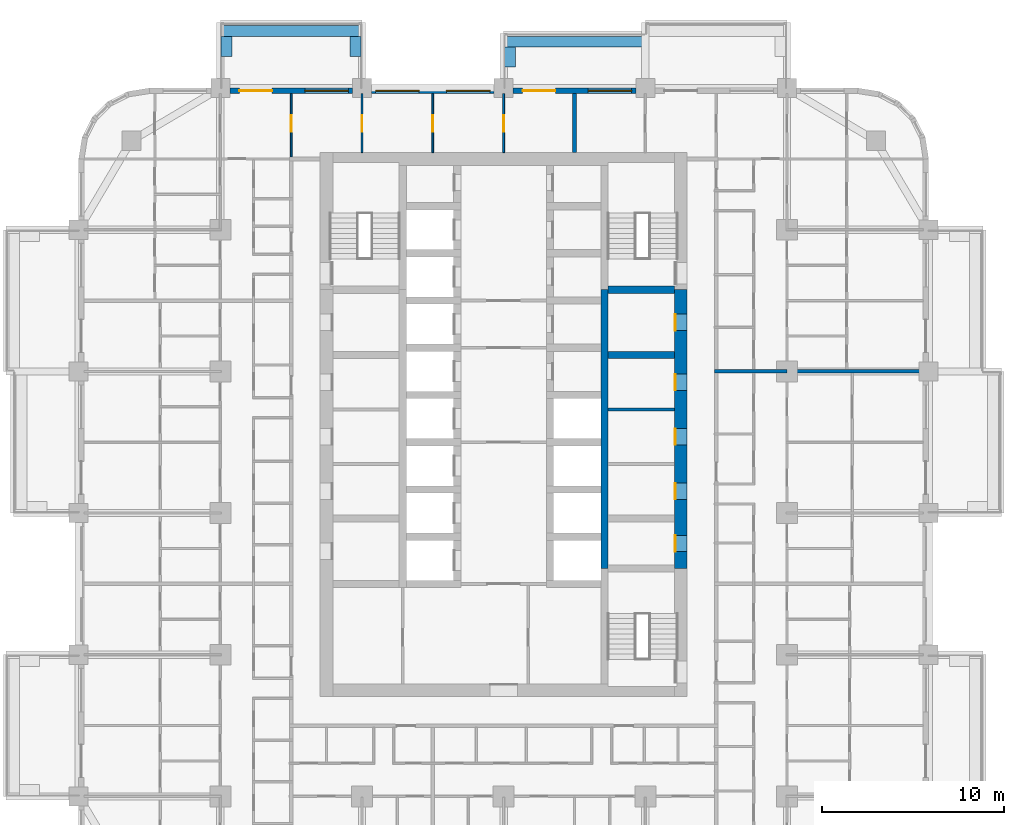
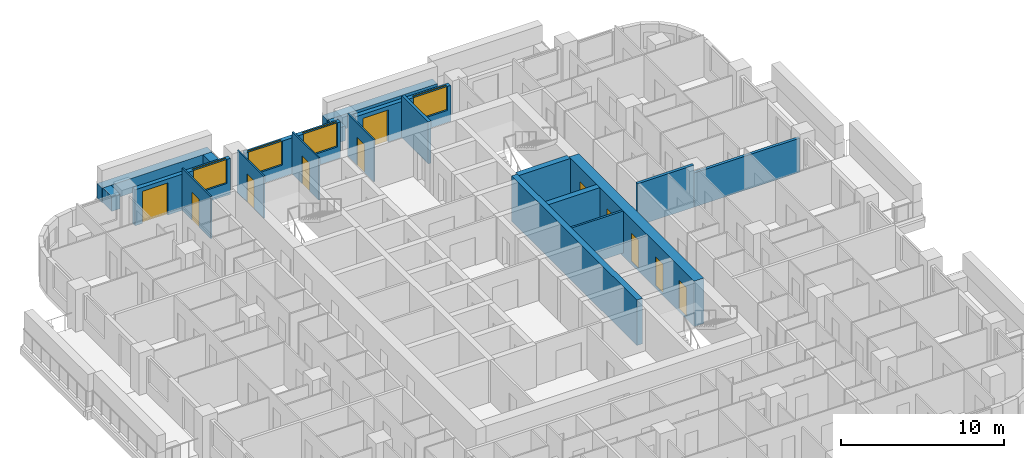
# One storey, part 12 of 18: 20 walls, 11 doors, 4 windows, 15 openings.
"""IFC4 building model written with IfcOpenShell, lengths in metres."""

from ifc_helpers import new_model, si_unit, direction, frame, frame_2d, origin, place, context, subcontext, project, spatial, rectangle, extrude, material, layer, layer_set, type_object, element, fill, save


model = new_model("IFC4")

# Units and contexts
model_context = context("Model", 3, precision=1e-05, world=origin(), true_north=direction((0.0, 1.0)))
body_context = subcontext(model_context, "Body", "Model", "MODEL_VIEW")
ifc_project = project(units=[si_unit("LENGTHUNIT", "METRE"), si_unit("AREAUNIT", "SQUARE_METRE"), si_unit("VOLUMEUNIT", "CUBIC_METRE"), si_unit("PLANEANGLEUNIT", "RADIAN"), si_unit("MASSUNIT", "GRAM", prefix="KILO")], contexts=[model_context])

# Site, building, storey
site_placement = place(None, origin())
site = spatial("IfcSite", under=ifc_project, at=site_placement, CompositionType="ELEMENT")
building_placement = place(site_placement, origin())
building = spatial("IfcBuilding", under=site, at=building_placement, Name="Ludao Terraces", CompositionType="ELEMENT")
storey_placement = place(building_placement, frame((0.0, 0.0, 33.10009765625)))
storey = spatial("IfcBuildingStorey", under=building, at=storey_placement, Name="L08", CompositionType="ELEMENT", Elevation=33.10009765625)

# Wall, openings, doors
ifc_material_1 = material(Name="Concrete C70", Category="concrete")
ifc_layer_1 = layer(ifc_material_1, 0.699951171875)
ifc_layer_set_1 = layer_set([ifc_layer_1], Name="Core wall 700 C70")
wall_type_1 = type_object("IfcWallType", Name="Core wall 700 C70", PredefinedType="SOLIDWALL", material=ifc_layer_set_1)
wall_1_placement = place(storey_placement, frame((94.75, 61.949951171875, -0.25), z_axis=(0.0, 0.0, 1.0), x_axis=(0.0, 1.0, 0.0)))
wall_1 = element("IfcWall", 1, at=wall_1_placement, inside=storey, type_object=wall_type_1, Name="Core wall L08 outer-E", PredefinedType="SOLIDWALL", context=body_context, shape_type="SweptSolid", body=[
    extrude(rectangle(XDim=15.35009765625, YDim=0.699951171875, at=frame_2d((7.675048828125, 0.0))), origin(), (0.0, 0.0, 1.0), 3.39990234375),
])
opening_1_placement = place(wall_1_placement, frame((0.925048828125, 0.0, 0.25)))
opening_1 = element("IfcOpeningElement", 2, at=opening_1_placement, cuts=wall_1, Name="Opening R02-078", PredefinedType="OPENING", context=body_context, shape_type="SweptSolid", body=[
    extrude(rectangle(XDim=0.89990234375, YDim=2.10009765625, at=frame_2d((0.449951171875, 1.050048828125))), frame((0.0, 0.35986328125, 0.0), z_axis=(0.0, -1.0, 0.0), x_axis=(1.0, 0.0, 0.0)), (0.0, 0.0, 1.0), 0.719970703125),
])
opening_2_placement = place(wall_1_placement, frame((3.800048828125, 0.0, 0.25)))
opening_2 = element("IfcOpeningElement", 3, at=opening_2_placement, cuts=wall_1, Name="Opening R02-087", PredefinedType="OPENING", context=body_context, shape_type="SweptSolid", body=[
    extrude(rectangle(XDim=0.89990234375, YDim=2.10009765625, at=frame_2d((0.449951171875, 1.050048828125))), frame((0.0, 0.35986328125, 0.0), z_axis=(0.0, -1.0, 0.0), x_axis=(1.0, 0.0, 0.0)), (0.0, 0.0, 1.0), 0.719970703125),
])
opening_3_placement = place(wall_1_placement, frame((6.800048828125, 0.0, 0.25)))
opening_3 = element("IfcOpeningElement", 4, at=opening_3_placement, cuts=wall_1, Name="Opening R02-099", PredefinedType="OPENING", context=body_context, shape_type="SweptSolid", body=[
    extrude(rectangle(XDim=0.89990234375, YDim=2.10009765625, at=frame_2d((0.449951171875, 1.050048828125))), frame((0.0, 0.35986328125, 0.0), z_axis=(0.0, -1.0, 0.0), x_axis=(1.0, 0.0, 0.0)), (0.0, 0.0, 1.0), 0.719970703125),
])
opening_4_placement = place(wall_1_placement, frame((9.800048828125, 0.0, 0.25)))
opening_4 = element("IfcOpeningElement", 5, at=opening_4_placement, cuts=wall_1, Name="Opening R02-109", PredefinedType="OPENING", context=body_context, shape_type="SweptSolid", body=[
    extrude(rectangle(XDim=0.89990234375, YDim=2.10009765625, at=frame_2d((0.449951171875, 1.050048828125))), frame((0.0, 0.35986328125, 0.0), z_axis=(0.0, -1.0, 0.0), x_axis=(1.0, 0.0, 0.0)), (0.0, 0.0, 1.0), 0.719970703125),
])
opening_5_placement = place(wall_1_placement, frame((13.10009765625, 0.0, 0.25)))
opening_5 = element("IfcOpeningElement", 6, at=opening_5_placement, cuts=wall_1, Name="Opening R02-121", PredefinedType="OPENING", context=body_context, shape_type="SweptSolid", body=[
    extrude(rectangle(XDim=0.89990234375, YDim=2.10009765625, at=frame_2d((0.449951171875, 1.050048828125))), frame((0.0, 0.35986328125, 0.0), z_axis=(0.0, -1.0, 0.0), x_axis=(1.0, 0.0, 0.0)), (0.0, 0.0, 1.0), 0.719970703125),
])
ifc_material_2 = material(Name="Steel Q235", Category="steel")
door_type_1 = type_object("IfcDoorType", Name="INT Riser door 900", OperationType="SINGLE_SWING_LEFT", PredefinedType="DOOR", material=ifc_material_2)
door_1_placement = place(opening_1_placement, origin())
door_1 = element("IfcDoor", 7, at=door_1_placement, inside=storey, type_object=door_type_1, Name="DOOR 078", OperationType="SINGLE_SWING_RIGHT", OverallHeight=2.10009765625, OverallWidth=0.89990234375, PredefinedType="DOOR", context=body_context, shape_type="SweptSolid", body=[
    extrude(rectangle(XDim=0.89990234375, YDim=2.10009765625, at=frame_2d((0.449951171875, 1.050048828125))), frame((0.0, 0.3349609375, 0.0), z_axis=(0.0, -1.0, 0.0), x_axis=(1.0, 0.0, 0.0)), (0.0, 0.0, 1.0), 0.050048828125),
])
fill(opening_1, door_1)
door_2_placement = place(opening_5_placement, origin())
door_2 = element("IfcDoor", 8, at=door_2_placement, inside=storey, type_object=door_type_1, Name="DOOR 121", OperationType="SINGLE_SWING_LEFT", OverallHeight=2.10009765625, OverallWidth=0.89990234375, PredefinedType="DOOR", context=body_context, shape_type="SweptSolid", body=[
    extrude(rectangle(XDim=0.89990234375, YDim=2.10009765625, at=frame_2d((0.449951171875, 1.050048828125))), frame((0.0, 0.3349609375, 0.0), z_axis=(0.0, -1.0, 0.0), x_axis=(1.0, 0.0, 0.0)), (0.0, 0.0, 1.0), 0.050048828125),
])
fill(opening_5, door_2)
ifc_material_3 = material(Name="Timber door leaf", Category="wood")
door_type_2 = type_object("IfcDoorType", Name="INT Room door 900", OperationType="SINGLE_SWING_LEFT", PredefinedType="DOOR", material=ifc_material_3)
door_3_placement = place(opening_2_placement, origin())
door_3 = element("IfcDoor", 9, at=door_3_placement, inside=storey, type_object=door_type_2, Name="DOOR 087", OperationType="SINGLE_SWING_LEFT", OverallHeight=2.10009765625, OverallWidth=0.89990234375, PredefinedType="DOOR", context=body_context, shape_type="SweptSolid", body=[
    extrude(rectangle(XDim=0.89990234375, YDim=2.10009765625, at=frame_2d((0.449951171875, 1.050048828125))), frame((0.0, 0.3349609375, 0.0), z_axis=(0.0, -1.0, 0.0), x_axis=(1.0, 0.0, 0.0)), (0.0, 0.0, 1.0), 0.050048828125),
])
fill(opening_2, door_3)
door_4_placement = place(opening_3_placement, origin())
door_4 = element("IfcDoor", 10, at=door_4_placement, inside=storey, type_object=door_type_2, Name="DOOR 099", OperationType="SINGLE_SWING_LEFT", OverallHeight=2.10009765625, OverallWidth=0.89990234375, PredefinedType="DOOR", context=body_context, shape_type="SweptSolid", body=[
    extrude(rectangle(XDim=0.89990234375, YDim=2.10009765625, at=frame_2d((0.449951171875, 1.050048828125))), frame((0.0, 0.3349609375, 0.0), z_axis=(0.0, -1.0, 0.0), x_axis=(1.0, 0.0, 0.0)), (0.0, 0.0, 1.0), 0.050048828125),
])
fill(opening_3, door_4)
door_5_placement = place(opening_4_placement, origin())
door_5 = element("IfcDoor", 11, at=door_5_placement, inside=storey, type_object=door_type_2, Name="DOOR 109", OperationType="SINGLE_SWING_RIGHT", OverallHeight=2.10009765625, OverallWidth=0.89990234375, PredefinedType="DOOR", context=body_context, shape_type="SweptSolid", body=[
    extrude(rectangle(XDim=0.89990234375, YDim=2.10009765625, at=frame_2d((0.449951171875, 1.050048828125))), frame((0.0, 0.3349609375, 0.0), z_axis=(0.0, -1.0, 0.0), x_axis=(1.0, 0.0, 0.0)), (0.0, 0.0, 1.0), 0.050048828125),
])
fill(opening_4, door_5)

# Walls
ifc_material_4 = material(Name="Concrete C40", Category="concrete")
ifc_layer_2 = layer(ifc_material_4, 0.60009765625)
ifc_layer_set_2 = layer_set([ifc_layer_2], Name="ENV Planter trough 600")
wall_type_2 = type_object("IfcWallType", Name="ENV Planter trough 600", PredefinedType="USERDEFINED", material=ifc_layer_set_2)
wall_2_placement = place(storey_placement, frame((69.39990234375, 91.550048828125, 0.0), z_axis=(0.0, 0.0, 1.0), x_axis=(1.0, 0.0, 0.0)))
element("IfcWall", 12, at=wall_2_placement, inside=storey, type_object=wall_type_2, Name="PL-L08-N1", ObjectType="PLANTER", PredefinedType="USERDEFINED", context=body_context, shape_type="SweptSolid", body=[
    extrude(rectangle(XDim=7.800048828125, YDim=0.60009765625, at=frame_2d((3.89990234375, 0.0))), origin(), (0.0, 0.0, 1.0), 1.099853515625),
])
for number, where, z_axis, x_axis, name in (
    (13, (69.75, 91.25, 0.0), (0.0, 0.0, 1.0), (0.0, -1.0, 0.0), "PL-L08-N1-SA"),
    (14, (76.85009765625, 91.25, 0.0), (0.0, 0.0, 1.0), (0.0, -1.0, 0.0), "PL-L08-N1-SB"),
):
    element("IfcWall", number, at=place(storey_placement, frame(where, z_axis=z_axis, x_axis=x_axis)), inside=storey, type_object=wall_type_2, Name=name, ObjectType="PLANTER", PredefinedType="USERDEFINED", context=body_context, shape_type="SweptSolid", body=[
        extrude(rectangle(XDim=1.10009765625, YDim=0.60009765625, at=frame_2d((0.550048828125, 0.0))), origin(), (0.0, 0.0, 1.0), 1.099853515625),
    ])
wall_3_placement = place(storey_placement, frame((85.0, 90.949951171875, 0.0), z_axis=(0.0, 0.0, 1.0), x_axis=(1.0, 0.0, 0.0)))
element("IfcWall", 15, at=wall_3_placement, inside=storey, type_object=wall_type_2, Name="PL-L08-N3", ObjectType="PLANTER", PredefinedType="USERDEFINED", context=body_context, shape_type="SweptSolid", body=[
    extrude(rectangle(XDim=7.800048828125, YDim=0.60009765625, at=frame_2d((3.89990234375, 0.0))), origin(), (0.0, 0.0, 1.0), 1.099853515625),
])
wall_4_placement = place(storey_placement, frame((85.35009765625, 90.64990234375, 0.0), z_axis=(0.0, 0.0, 1.0), x_axis=(0.0, -1.0, 0.0)))
element("IfcWall", 16, at=wall_4_placement, inside=storey, type_object=wall_type_2, Name="PL-L08-N3-SA", ObjectType="PLANTER", PredefinedType="USERDEFINED", context=body_context, shape_type="SweptSolid", body=[
    extrude(rectangle(XDim=1.099853515625, YDim=0.60009765625, at=frame_2d((0.5498046875, 0.0))), origin(), (0.0, 0.0, 1.0), 1.099853515625),
])

# Wall, openings, door, window
ifc_material_5 = material(Name="Granite cladding", Category="masonry")
ifc_layer_3 = layer(ifc_material_5, 0.0400390625, Category="stone")
ifc_material_6 = material(Name="Mineral wool")
ifc_layer_4 = layer(ifc_material_6, 0.06005859375)
ifc_layer_5 = layer(ifc_material_4, 0.199951171875, Category="concrete")
ifc_layer_set_3 = layer_set([ifc_layer_3, ifc_layer_4, ifc_layer_5], Name="ENV Stone-clad wall 300")
wall_type_3 = type_object("IfcWallType", Name="ENV Stone-clad wall 300", PredefinedType="SOLIDWALL", material=ifc_layer_set_3)
wall_5_placement = place(storey_placement, frame((69.925048828125, 88.25, 0.0), z_axis=(0.0, 0.0, 1.0), x_axis=(1.0, 0.0, 0.0)))
wall_5 = element("IfcWall", 17, at=wall_5_placement, inside=storey, type_object=wall_type_3, Name="EW-L08-N2", PredefinedType="SOLIDWALL", context=body_context, shape_type="SweptSolid", body=[
    extrude(rectangle(XDim=6.75, YDim=0.300048828125, at=frame_2d((3.375, 0.0))), origin(), (0.0, 0.0, 1.0), 2.699951171875),
])
opening_6_placement = place(wall_5_placement, frame((0.52490234375, 0.0, 0.0)))
opening_6 = element("IfcOpeningElement", 18, at=opening_6_placement, cuts=wall_5, Name="Opening BD", PredefinedType="OPENING", context=body_context, shape_type="SweptSolid", body=[
    extrude(rectangle(XDim=1.800048828125, YDim=2.39990234375, at=frame_2d((0.89990234375, 1.199951171875))), frame((0.0, 0.16015625, 0.0), z_axis=(0.0, -1.0, 0.0), x_axis=(1.0, 0.0, 0.0)), (0.0, 0.0, 1.0), 0.320068359375),
])
opening_7_placement = place(wall_5_placement, frame((4.125, 0.0, 0.89990234375)))
opening_7 = element("IfcOpeningElement", 19, at=opening_7_placement, cuts=wall_5, Name="Opening W1", PredefinedType="OPENING", context=body_context, shape_type="SweptSolid", body=[
    extrude(rectangle(XDim=2.39990234375, YDim=1.800048828125, at=frame_2d((1.199951171875, 0.89990234375))), frame((0.0, 0.16015625, 0.0), z_axis=(0.0, -1.0, 0.0), x_axis=(1.0, 0.0, 0.0)), (0.0, 0.0, 1.0), 0.320068359375),
])
ifc_material_7 = material(Name="Aluminium glazed door", Category="aluminium")
ifc_layer_6 = layer(ifc_material_7, 0.06005859375)
ifc_layer_set_4 = layer_set([ifc_layer_6], Name="ENV Balcony door BD 1800x2400")
door_type_3 = type_object("IfcDoorType", Name="ENV Balcony door BD 1800x2400", OperationType="DOUBLE_DOOR_SINGLE_SWING", PredefinedType="DOOR", material=ifc_layer_set_4)
door_6_placement = place(opening_6_placement, origin())
door_6 = element("IfcDoor", 20, at=door_6_placement, inside=storey, type_object=door_type_3, Name="BD-L08-N2-1", OperationType="DOUBLE_DOOR_SINGLE_SWING", OverallHeight=2.39990234375, OverallWidth=1.800048828125, PredefinedType="DOOR", context=body_context, shape_type="SweptSolid", body=[
    extrude(rectangle(XDim=1.800048828125, YDim=2.39990234375, at=frame_2d((0.89990234375, 1.199951171875))), frame((0.0, 0.02490234375, 0.0), z_axis=(0.0, -1.0, 0.0), x_axis=(1.0, 0.0, 0.0)), (0.0, 0.0, 1.0), 0.050048828125),
])
fill(opening_6, door_6)
ifc_material_8 = material(Name="Clear glass in aluminium frame", Category="aluminium")
ifc_layer_7 = layer(ifc_material_8, 0.06005859375)
ifc_layer_set_5 = layer_set([ifc_layer_7], Name="ENV Window W1 2400x1800")
window_type = type_object("IfcWindowType", Name="ENV Window W1 2400x1800", PartitioningType="DOUBLE_PANEL_VERTICAL", PredefinedType="WINDOW", material=ifc_layer_set_5)
window_1_placement = place(opening_7_placement, origin())
window_1 = element("IfcWindow", 21, at=window_1_placement, inside=storey, type_object=window_type, Name="W-L08-N2-2", OverallHeight=1.800048828125, OverallWidth=2.39990234375, PartitioningType="DOUBLE_PANEL_VERTICAL", PredefinedType="WINDOW", context=body_context, shape_type="SweptSolid", body=[
    extrude(rectangle(XDim=2.39990234375, YDim=1.800048828125, at=frame_2d((1.199951171875, 0.89990234375))), frame((0.0, 0.030029296875, 0.0), z_axis=(0.0, -1.0, 0.0), x_axis=(1.0, 0.0, 0.0)), (0.0, 0.0, 1.0), 0.06005859375),
])
fill(opening_7, window_1)

# Wall, openings, windows
wall_6_placement = place(storey_placement, frame((77.72509765625, 88.25, 0.0), z_axis=(0.0, 0.0, 1.0), x_axis=(1.0, 0.0, 0.0)))
wall_6 = element("IfcWall", 22, at=wall_6_placement, inside=storey, type_object=wall_type_3, Name="EW-L08-N3", PredefinedType="SOLIDWALL", context=body_context, shape_type="SweptSolid", body=[
    extrude(rectangle(XDim=6.75, YDim=0.300048828125, at=frame_2d((3.375, 0.0))), origin(), (0.0, 0.0, 1.0), 2.699951171875),
])
opening_8_placement = place(wall_6_placement, frame((0.22509765625, 0.0, 0.89990234375)))
opening_8 = element("IfcOpeningElement", 23, at=opening_8_placement, cuts=wall_6, Name="Opening W1", PredefinedType="OPENING", context=body_context, shape_type="SweptSolid", body=[
    extrude(rectangle(XDim=2.39990234375, YDim=1.800048828125, at=frame_2d((1.199951171875, 0.89990234375))), frame((0.0, 0.16015625, 0.0), z_axis=(0.0, -1.0, 0.0), x_axis=(1.0, 0.0, 0.0)), (0.0, 0.0, 1.0), 0.320068359375),
])
opening_9_placement = place(wall_6_placement, frame((4.125, 0.0, 0.89990234375)))
opening_9 = element("IfcOpeningElement", 24, at=opening_9_placement, cuts=wall_6, Name="Opening W1", PredefinedType="OPENING", context=body_context, shape_type="SweptSolid", body=[
    extrude(rectangle(XDim=2.39990234375, YDim=1.800048828125, at=frame_2d((1.199951171875, 0.89990234375))), frame((0.0, 0.16015625, 0.0), z_axis=(0.0, -1.0, 0.0), x_axis=(1.0, 0.0, 0.0)), (0.0, 0.0, 1.0), 0.320068359375),
])
window_2_placement = place(opening_8_placement, origin())
window_2 = element("IfcWindow", 25, at=window_2_placement, inside=storey, type_object=window_type, Name="W-L08-N3-1", OverallHeight=1.800048828125, OverallWidth=2.39990234375, PartitioningType="DOUBLE_PANEL_VERTICAL", PredefinedType="WINDOW", context=body_context, shape_type="SweptSolid", body=[
    extrude(rectangle(XDim=2.39990234375, YDim=1.800048828125, at=frame_2d((1.199951171875, 0.89990234375))), frame((0.0, 0.030029296875, 0.0), z_axis=(0.0, -1.0, 0.0), x_axis=(1.0, 0.0, 0.0)), (0.0, 0.0, 1.0), 0.06005859375),
])
fill(opening_8, window_2)
window_3_placement = place(opening_9_placement, origin())
window_3 = element("IfcWindow", 26, at=window_3_placement, inside=storey, type_object=window_type, Name="W-L08-N3-2", OverallHeight=1.800048828125, OverallWidth=2.39990234375, PartitioningType="DOUBLE_PANEL_VERTICAL", PredefinedType="WINDOW", context=body_context, shape_type="SweptSolid", body=[
    extrude(rectangle(XDim=2.39990234375, YDim=1.800048828125, at=frame_2d((1.199951171875, 0.89990234375))), frame((0.0, 0.030029296875, 0.0), z_axis=(0.0, -1.0, 0.0), x_axis=(1.0, 0.0, 0.0)), (0.0, 0.0, 1.0), 0.06005859375),
])
fill(opening_9, window_3)

# Wall, openings, door, window
wall_7_placement = place(storey_placement, frame((85.52490234375, 88.25, 0.0), z_axis=(0.0, 0.0, 1.0), x_axis=(1.0, 0.0, 0.0)))
wall_7 = element("IfcWall", 27, at=wall_7_placement, inside=storey, type_object=wall_type_3, Name="EW-L08-N4", PredefinedType="SOLIDWALL", context=body_context, shape_type="SweptSolid", body=[
    extrude(rectangle(XDim=6.75, YDim=0.300048828125, at=frame_2d((3.375, 0.0))), origin(), (0.0, 0.0, 1.0), 2.699951171875),
])
opening_10_placement = place(wall_7_placement, frame((0.52490234375, 0.0, 0.0)))
opening_10 = element("IfcOpeningElement", 28, at=opening_10_placement, cuts=wall_7, Name="Opening BD", PredefinedType="OPENING", context=body_context, shape_type="SweptSolid", body=[
    extrude(rectangle(XDim=1.800048828125, YDim=2.39990234375, at=frame_2d((0.89990234375, 1.199951171875))), frame((0.0, 0.16015625, 0.0), z_axis=(0.0, -1.0, 0.0), x_axis=(1.0, 0.0, 0.0)), (0.0, 0.0, 1.0), 0.320068359375),
])
opening_11_placement = place(wall_7_placement, frame((4.125, 0.0, 0.89990234375)))
opening_11 = element("IfcOpeningElement", 29, at=opening_11_placement, cuts=wall_7, Name="Opening W1", PredefinedType="OPENING", context=body_context, shape_type="SweptSolid", body=[
    extrude(rectangle(XDim=2.39990234375, YDim=1.800048828125, at=frame_2d((1.199951171875, 0.89990234375))), frame((0.0, 0.16015625, 0.0), z_axis=(0.0, -1.0, 0.0), x_axis=(1.0, 0.0, 0.0)), (0.0, 0.0, 1.0), 0.320068359375),
])
door_7_placement = place(opening_10_placement, origin())
door_7 = element("IfcDoor", 30, at=door_7_placement, inside=storey, type_object=door_type_3, Name="BD-L08-N4-1", OperationType="DOUBLE_DOOR_SINGLE_SWING", OverallHeight=2.39990234375, OverallWidth=1.800048828125, PredefinedType="DOOR", context=body_context, shape_type="SweptSolid", body=[
    extrude(rectangle(XDim=1.800048828125, YDim=2.39990234375, at=frame_2d((0.89990234375, 1.199951171875))), frame((0.0, 0.02490234375, 0.0), z_axis=(0.0, -1.0, 0.0), x_axis=(1.0, 0.0, 0.0)), (0.0, 0.0, 1.0), 0.050048828125),
])
fill(opening_10, door_7)
window_4_placement = place(opening_11_placement, origin())
window_4 = element("IfcWindow", 31, at=window_4_placement, inside=storey, type_object=window_type, Name="W-L08-N4-2", OverallHeight=1.800048828125, OverallWidth=2.39990234375, PartitioningType="DOUBLE_PANEL_VERTICAL", PredefinedType="WINDOW", context=body_context, shape_type="SweptSolid", body=[
    extrude(rectangle(XDim=2.39990234375, YDim=1.800048828125, at=frame_2d((1.199951171875, 0.89990234375))), frame((0.0, 0.030029296875, 0.0), z_axis=(0.0, -1.0, 0.0), x_axis=(1.0, 0.0, 0.0)), (0.0, 0.0, 1.0), 0.06005859375),
])
fill(opening_11, window_4)

# Wall
ifc_material_9 = material(Name="Fire-rated gypsum plasterboard", Category="gypsum")
ifc_layer_8 = layer(ifc_material_9, 0.012451171875, Category="gypsum")
ifc_layer_9 = layer(ifc_material_6, 0.10009765625, Name="insulation")
ifc_layer_10 = layer(ifc_material_2, 0.02490234375, Name="stud")
ifc_layer_11 = layer(ifc_material_9, 0.012451171875, Category="gypsum")
ifc_layer_set_6 = layer_set([ifc_layer_8, ifc_layer_9, ifc_layer_10, ifc_layer_11], Name="INT Core partition 150")
wall_type_4 = type_object("IfcWallType", Name="INT Core partition 150", PredefinedType="PARTITIONING", material=ifc_layer_set_6)
wall_8_placement = place(storey_placement, frame((90.75, 70.699951171875, 0.0), z_axis=(0.0, 0.0, 1.0), x_axis=(1.0, 0.0, 0.0)))
element("IfcWall", 32, at=wall_8_placement, inside=storey, type_object=wall_type_4, Name="PW-L08-PW052", PredefinedType="PARTITIONING", context=body_context, shape_type="SweptSolid", body=[
    extrude(rectangle(XDim=3.650146484375, YDim=0.14990234375, at=frame_2d((1.8251953125, 0.0))), origin(), (0.0, 0.0, 1.0), 3.14990234375),
])

# Wall, opening, door
ifc_material_10 = material(Name="Gypsum plasterboard", Category="gypsum")
ifc_layer_12 = layer(ifc_material_10, 0.012451171875, Category="gypsum")
ifc_layer_13 = layer(ifc_material_6, 0.06005859375, Name="insulation")
ifc_layer_14 = layer(ifc_material_2, 0.014892578125, Name="stud")
ifc_layer_15 = layer(ifc_material_10, 0.012451171875, Category="gypsum")
ifc_layer_set_7 = layer_set([ifc_layer_12, ifc_layer_13, ifc_layer_14, ifc_layer_15], Name="INT Partition 100")
wall_type_5 = type_object("IfcWallType", Name="INT Partition 100", PredefinedType="PARTITIONING", material=ifc_layer_set_7)
wall_9_placement = place(storey_placement, frame((73.300048828125, 84.60009765625, 0.0), z_axis=(0.0, 0.0, 1.0), x_axis=(0.0, 1.0, 0.0)))
wall_9 = element("IfcWall", 33, at=wall_9_placement, inside=storey, type_object=wall_type_5, Name="PW-L08-PW090", PredefinedType="PARTITIONING", context=body_context, shape_type="SweptSolid", body=[
    extrude(rectangle(XDim=3.5, YDim=0.10009765625, at=frame_2d((1.75, 0.0))), origin(), (0.0, 0.0, 1.0), 3.14990234375),
])
opening_12_placement = place(wall_9_placement, frame((1.39990234375, 0.0, 0.0)))
opening_12 = element("IfcOpeningElement", 34, at=opening_12_placement, cuts=wall_9, Name="Opening R02-159", PredefinedType="OPENING", context=body_context, shape_type="SweptSolid", body=[
    extrude(rectangle(XDim=0.89990234375, YDim=2.10009765625, at=frame_2d((0.449951171875, 1.050048828125))), frame((0.0, 0.06005859375, 0.0), z_axis=(0.0, -1.0, 0.0), x_axis=(1.0, 0.0, 0.0)), (0.0, 0.0, 1.0), 0.1201171875),
])
door_8_placement = place(opening_12_placement, origin())
door_8 = element("IfcDoor", 35, at=door_8_placement, inside=storey, type_object=door_type_2, Name="DOOR 159", OperationType="SINGLE_SWING_LEFT", OverallHeight=2.10009765625, OverallWidth=0.89990234375, PredefinedType="DOOR", context=body_context, shape_type="SweptSolid", body=[
    extrude(rectangle(XDim=0.89990234375, YDim=2.10009765625, at=frame_2d((0.449951171875, 1.050048828125))), frame((0.0, 0.02490234375, 0.0), z_axis=(0.0, -1.0, 0.0), x_axis=(1.0, 0.0, 0.0)), (0.0, 0.0, 1.0), 0.050048828125),
])
fill(opening_12, door_8)

wall_10_placement = place(storey_placement, frame((77.199951171875, 84.85009765625, 0.0), z_axis=(0.0, 0.0, 1.0), x_axis=(0.0, 1.0, 0.0)))
wall_10 = element("IfcWall", 36, at=wall_10_placement, inside=storey, type_object=wall_type_5, Name="PW-L08-PW093", PredefinedType="PARTITIONING", context=body_context, shape_type="SweptSolid", body=[
    extrude(rectangle(XDim=3.25, YDim=0.10009765625, at=frame_2d((1.625, 0.0))), origin(), (0.0, 0.0, 1.0), 3.14990234375),
])
opening_13_placement = place(wall_10_placement, frame((1.14990234375, 0.0, 0.0)))
opening_13 = element("IfcOpeningElement", 37, at=opening_13_placement, cuts=wall_10, Name="Opening R02-160", PredefinedType="OPENING", context=body_context, shape_type="SweptSolid", body=[
    extrude(rectangle(XDim=0.89990234375, YDim=2.10009765625, at=frame_2d((0.449951171875, 1.050048828125))), frame((0.0, 0.06005859375, 0.0), z_axis=(0.0, -1.0, 0.0), x_axis=(1.0, 0.0, 0.0)), (0.0, 0.0, 1.0), 0.1201171875),
])
door_9_placement = place(opening_13_placement, origin())
door_9 = element("IfcDoor", 38, at=door_9_placement, inside=storey, type_object=door_type_2, Name="DOOR 160", OperationType="SINGLE_SWING_RIGHT", OverallHeight=2.10009765625, OverallWidth=0.89990234375, PredefinedType="DOOR", context=body_context, shape_type="SweptSolid", body=[
    extrude(rectangle(XDim=0.89990234375, YDim=2.10009765625, at=frame_2d((0.449951171875, 1.050048828125))), frame((0.0, 0.02490234375, 0.0), z_axis=(0.0, -1.0, 0.0), x_axis=(1.0, 0.0, 0.0)), (0.0, 0.0, 1.0), 0.050048828125),
])
fill(opening_13, door_9)

wall_11_placement = place(storey_placement, frame((81.10009765625, 84.85009765625, 0.0), z_axis=(0.0, 0.0, 1.0), x_axis=(0.0, 1.0, 0.0)))
wall_11 = element("IfcWall", 39, at=wall_11_placement, inside=storey, type_object=wall_type_5, Name="PW-L08-PW099", PredefinedType="PARTITIONING", context=body_context, shape_type="SweptSolid", body=[
    extrude(rectangle(XDim=3.25, YDim=0.10009765625, at=frame_2d((1.625, 0.0))), origin(), (0.0, 0.0, 1.0), 3.14990234375),
])
opening_14_placement = place(wall_11_placement, frame((1.14990234375, 0.0, 0.0)))
opening_14 = element("IfcOpeningElement", 40, at=opening_14_placement, cuts=wall_11, Name="Opening R02-161", PredefinedType="OPENING", context=body_context, shape_type="SweptSolid", body=[
    extrude(rectangle(XDim=0.89990234375, YDim=2.10009765625, at=frame_2d((0.449951171875, 1.050048828125))), frame((0.0, 0.06005859375, 0.0), z_axis=(0.0, -1.0, 0.0), x_axis=(1.0, 0.0, 0.0)), (0.0, 0.0, 1.0), 0.1201171875),
])
door_10_placement = place(opening_14_placement, origin())
door_10 = element("IfcDoor", 41, at=door_10_placement, inside=storey, type_object=door_type_2, Name="DOOR 161", OperationType="SINGLE_SWING_RIGHT", OverallHeight=2.10009765625, OverallWidth=0.89990234375, PredefinedType="DOOR", context=body_context, shape_type="SweptSolid", body=[
    extrude(rectangle(XDim=0.89990234375, YDim=2.10009765625, at=frame_2d((0.449951171875, 1.050048828125))), frame((0.0, 0.02490234375, 0.0), z_axis=(0.0, -1.0, 0.0), x_axis=(1.0, 0.0, 0.0)), (0.0, 0.0, 1.0), 0.050048828125),
])
fill(opening_14, door_10)

wall_12_placement = place(storey_placement, frame((85.0, 84.85009765625, 0.0), z_axis=(0.0, 0.0, 1.0), x_axis=(0.0, 1.0, 0.0)))
wall_12 = element("IfcWall", 42, at=wall_12_placement, inside=storey, type_object=wall_type_5, Name="PW-L08-PW103", PredefinedType="PARTITIONING", context=body_context, shape_type="SweptSolid", body=[
    extrude(rectangle(XDim=3.25, YDim=0.10009765625, at=frame_2d((1.625, 0.0))), origin(), (0.0, 0.0, 1.0), 3.14990234375),
])
opening_15_placement = place(wall_12_placement, frame((1.14990234375, 0.0, 0.0)))
opening_15 = element("IfcOpeningElement", 43, at=opening_15_placement, cuts=wall_12, Name="Opening R02-162", PredefinedType="OPENING", context=body_context, shape_type="SweptSolid", body=[
    extrude(rectangle(XDim=0.89990234375, YDim=2.10009765625, at=frame_2d((0.449951171875, 1.050048828125))), frame((0.0, 0.06005859375, 0.0), z_axis=(0.0, -1.0, 0.0), x_axis=(1.0, 0.0, 0.0)), (0.0, 0.0, 1.0), 0.1201171875),
])
door_11_placement = place(opening_15_placement, origin())
door_11 = element("IfcDoor", 44, at=door_11_placement, inside=storey, type_object=door_type_2, Name="DOOR 162", OperationType="SINGLE_SWING_RIGHT", OverallHeight=2.10009765625, OverallWidth=0.89990234375, PredefinedType="DOOR", context=body_context, shape_type="SweptSolid", body=[
    extrude(rectangle(XDim=0.89990234375, YDim=2.10009765625, at=frame_2d((0.449951171875, 1.050048828125))), frame((0.0, 0.02490234375, 0.0), z_axis=(0.0, -1.0, 0.0), x_axis=(1.0, 0.0, 0.0)), (0.0, 0.0, 1.0), 0.050048828125),
])
fill(opening_15, door_11)

# Walls
ifc_material_11 = material(Name="Autoclaved aerated concrete block B06 A3.5", Category="concrete")
ifc_layer_16 = layer(ifc_material_11, 0.199951171875)
ifc_layer_set_8 = layer_set([ifc_layer_16], Name="INT Party wall 200")
wall_type_6 = type_object("IfcWallType", Name="INT Party wall 200", PredefinedType="PARTITIONING", material=ifc_layer_set_8)
wall_13_placement = place(storey_placement, frame((96.60009765625, 72.800048828125, 0.0), z_axis=(0.0, 0.0, 1.0), x_axis=(1.0, 0.0, 0.0)))
element("IfcWall", 45, at=wall_13_placement, inside=storey, type_object=wall_type_6, Name="PW-L08-PW056", PredefinedType="PARTITIONING", context=body_context, shape_type="SweptSolid", body=[
    extrude(rectangle(XDim=4.0, YDim=0.199951171875, at=frame_2d((2.0, 0.0))), origin(), (0.0, 0.0, 1.0), 3.14990234375),
])
wall_14_placement = place(storey_placement, frame((100.60009765625, 72.800048828125, 0.0), z_axis=(0.0, 0.0, 1.0), x_axis=(1.0, 0.0, 0.0)))
element("IfcWall", 46, at=wall_14_placement, inside=storey, type_object=wall_type_6, Name="PW-L08-PW056-2", PredefinedType="PARTITIONING", context=body_context, shape_type="SweptSolid", body=[
    extrude(rectangle(XDim=7.5, YDim=0.199951171875, at=frame_2d((3.75, 0.0))), origin(), (0.0, 0.0, 1.0), 2.5498046875),
])
wall_15_placement = place(storey_placement, frame((88.89990234375, 84.85009765625, 0.0), z_axis=(0.0, 0.0, 1.0), x_axis=(0.0, 1.0, 0.0)))
element("IfcWall", 47, at=wall_15_placement, inside=storey, type_object=wall_type_6, Name="PW-L08-PW107", PredefinedType="PARTITIONING", context=body_context, shape_type="SweptSolid", body=[
    extrude(rectangle(XDim=3.25, YDim=0.199951171875, at=frame_2d((1.625, 0.0))), origin(), (0.0, 0.0, 1.0), 3.14990234375),
])
ifc_material_12 = material(Name="Concrete C60", Category="concrete")
ifc_layer_17 = layer(ifc_material_12, 0.39990234375)
ifc_layer_set_9 = layer_set([ifc_layer_17], Name="Shaft wall 400 C60")
wall_type_7 = type_object("IfcWallType", Name="Shaft wall 400 C60", PredefinedType="SOLIDWALL", material=ifc_layer_set_9)
wall_16_placement = place(storey_placement, frame((90.550048828125, 61.949951171875, -0.25), z_axis=(0.0, 0.0, 1.0), x_axis=(0.0, 1.0, 0.0)))
element("IfcWall", 48, at=wall_16_placement, inside=storey, type_object=wall_type_7, Name="Core wall L08 back-E", PredefinedType="SOLIDWALL", context=body_context, shape_type="SweptSolid", body=[
    extrude(rectangle(XDim=15.35009765625, YDim=0.39990234375, at=frame_2d((7.675048828125, 0.0))), origin(), (0.0, 0.0, 1.0), 3.39990234375),
])
for number, where, z_axis, x_axis, name in (
    (49, (90.75, 73.699951171875, -0.25), (0.0, 0.0, 1.0), (1.0, 0.0, 0.0), "Core wall L08 riser-b-E"),
    (50, (90.75, 77.300048828125, -0.25), (0.0, 0.0, 1.0), (1.0, 0.0, 0.0), "Core wall L08 stair-E"),
):
    element("IfcWall", number, at=place(storey_placement, frame(where, z_axis=z_axis, x_axis=x_axis)), inside=storey, type_object=wall_type_7, Name=name, PredefinedType="SOLIDWALL", context=body_context, shape_type="SweptSolid", body=[
        extrude(rectangle(XDim=3.64990234375, YDim=0.39990234375, at=frame_2d((1.824951171875, 0.0))), origin(), (0.0, 0.0, 1.0), 3.39990234375),
    ])

save(model, "model.ifc")
